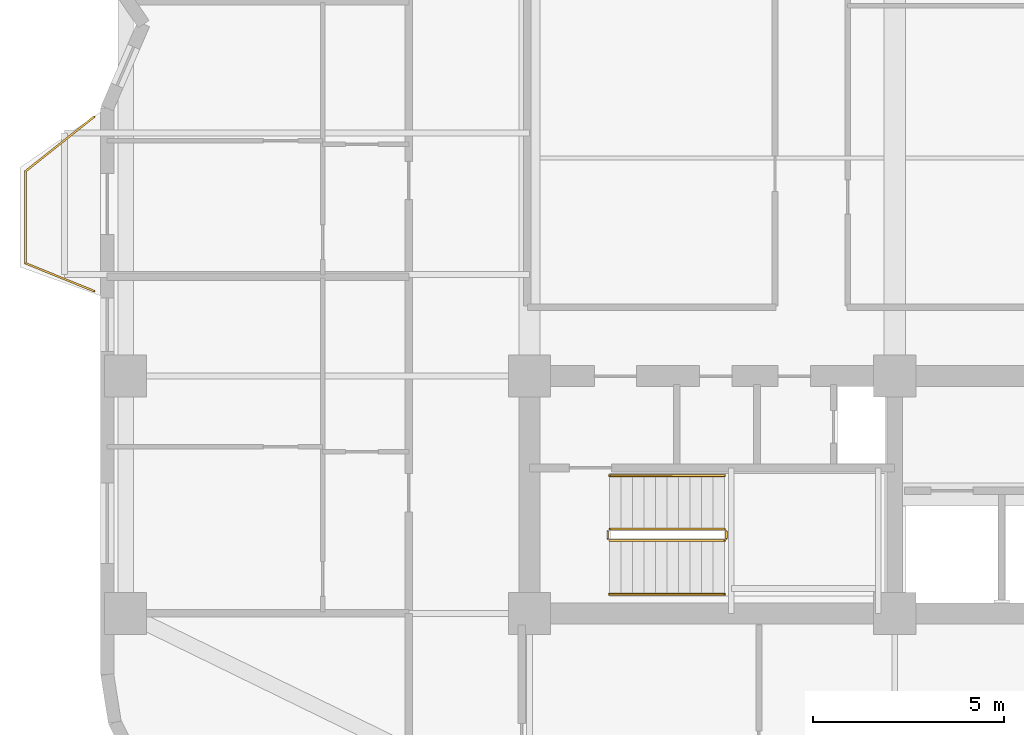
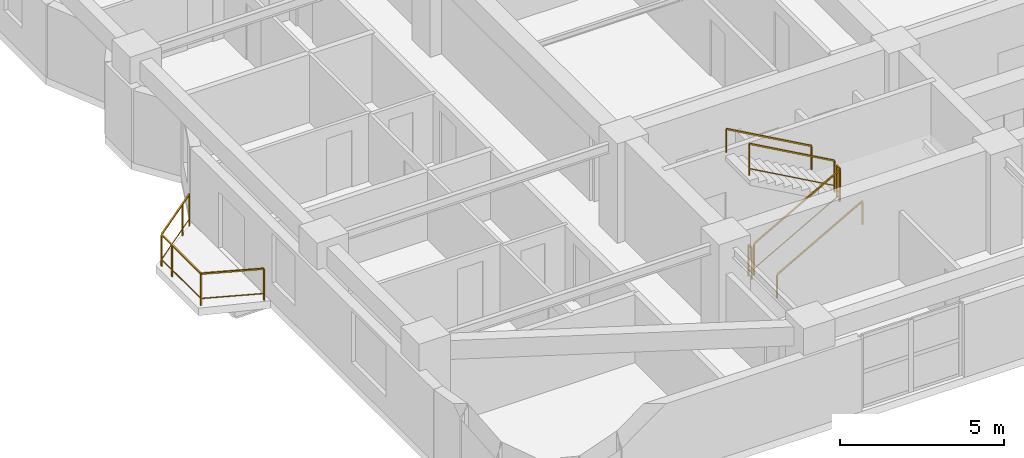
# One storey, part 14 of 15: 7 railings.
"""IFC4 building model written with IfcOpenShell, lengths in metres."""

from ifc_helpers import new_model, si_unit, direction, frame, origin, origin_2d, place, context, subcontext, project, spatial, rectangle, extrude, material, type_object, element, save


model = new_model("IFC4")

# Units and contexts
model_context = context("Model", 3, precision=1e-05, world=origin(), true_north=direction((0.0, 1.0)))
body_context = subcontext(model_context, "Body", "Model", "MODEL_VIEW")
ifc_project = project(units=[si_unit("LENGTHUNIT", "METRE"), si_unit("AREAUNIT", "SQUARE_METRE"), si_unit("VOLUMEUNIT", "CUBIC_METRE"), si_unit("PLANEANGLEUNIT", "RADIAN"), si_unit("MASSUNIT", "GRAM", prefix="KILO")], contexts=[model_context])

# Site, building, storey
site_placement = place(None, origin())
site = spatial("IfcSite", under=ifc_project, at=site_placement, CompositionType="ELEMENT")
building_placement = place(site_placement, origin())
building = spatial("IfcBuilding", under=site, at=building_placement, Name="Svetorya Sky Lyceum", CompositionType="ELEMENT")
storey_placement = place(building_placement, frame((0.0, 0.0, 99.39990234375)))
storey = spatial("IfcBuildingStorey", under=building, at=storey_placement, Name="L24", CompositionType="ELEMENT", Elevation=99.39990234375)

# Railings
ifc_material_1 = material(Name="Laminated safety glass and stainless AISI 316", Category="glass")
railing_type_1 = type_object("IfcRailingType", Name="RL-BAL-1200", PredefinedType="BALUSTRADE", material=ifc_material_1)
railing_1_placement = place(storey_placement, frame((14.22998046875, 19.02001953125, 0.0)))
element("IfcRailing", 1, at=railing_1_placement, inside=storey, type_object=railing_type_1, Name="L24 Balcony Balustrade BAL-W1", PredefinedType="BALUSTRADE", context=body_context, shape_type="SweptSolid", body=[
    extrude(rectangle(XDim=0.048095703125, YDim=0.048095703125, at=origin_2d()), frame((0.0, 0.0, 1.17578125), z_axis=(-0.926697865975, 0.375807218129, 0.0), x_axis=(-0.375807218129, -0.926697865975, 0.0)), (0.0, 0.0, 1.0), 1.9423828125),
    extrude(rectangle(XDim=0.02392578125, YDim=0.02392578125, at=origin_2d()), frame((0.0, 0.0, 0.25), z_axis=(-0.926697865975, 0.375807218129, 0.0), x_axis=(-0.375807218129, -0.926697865975, 0.0)), (0.0, 0.0, 1.0), 1.9423828125),
    extrude(rectangle(XDim=0.048095703125, YDim=0.048095703125, at=origin_2d()), frame((-1.800048828125, 0.72998046875, 1.17578125), z_axis=(0.0, 1.0, 0.0), x_axis=(-1.0, 0.0, 0.0)), (0.0, 0.0, 1.0), 2.39990234375),
    extrude(rectangle(XDim=0.02392578125, YDim=0.02392578125, at=origin_2d()), frame((-1.800048828125, 0.72998046875, 0.25), z_axis=(0.0, 1.0, 0.0), x_axis=(-1.0, 0.0, 0.0)), (0.0, 0.0, 1.0), 2.39990234375),
    extrude(rectangle(XDim=0.048095703125, YDim=0.048095703125, at=origin_2d()), frame((-1.800048828125, 3.1298828125, 1.17578125), z_axis=(0.782957196596, 0.622075580857, 0.0), x_axis=(-0.622075580857, 0.782957196596, 0.0)), (0.0, 0.0, 1.0), 2.299072265625),
    extrude(rectangle(XDim=0.02392578125, YDim=0.02392578125, at=origin_2d()), frame((-1.800048828125, 3.1298828125, 0.25), z_axis=(0.782957196596, 0.622075580857, 0.0), x_axis=(-0.622075580857, 0.782957196596, 0.0)), (0.0, 0.0, 1.0), 2.299072265625),
    extrude(rectangle(XDim=0.0419921875, YDim=0.0419921875, at=origin_2d()), origin(), (0.0, 0.0, 1.0), 1.15185546875),
    extrude(rectangle(XDim=0.0419921875, YDim=0.0419921875, at=origin_2d()), frame((-1.800048828125, 0.72998046875, 0.0)), (0.0, 0.0, 1.0), 1.15185546875),
    extrude(rectangle(XDim=0.0419921875, YDim=0.0419921875, at=origin_2d()), frame((-1.800048828125, 2.47998046875, 0.0)), (0.0, 0.0, 1.0), 1.15185546875),
    extrude(rectangle(XDim=0.0419921875, YDim=0.0419921875, at=origin_2d()), frame((-1.800048828125, 3.1298828125, 0.0)), (0.0, 0.0, 1.0), 1.15185546875),
    extrude(rectangle(XDim=0.0419921875, YDim=0.0419921875, at=origin_2d()), frame((-0.429931640625, 4.218505859375, 0.0)), (0.0, 0.0, 1.0), 1.15185546875),
    extrude(rectangle(XDim=0.0419921875, YDim=0.0419921875, at=origin_2d()), frame((0.0, 4.56005859375, 0.0)), (0.0, 0.0, 1.0), 1.15185546875),
])
ifc_material_2 = material(Name="Painted galvanized stair well guard")
railing_type_2 = type_object("IfcRailingType", Name="RL-STR-GUARD-1200", PredefinedType="GUARDRAIL", material=ifc_material_2)
railing_2_placement = place(storey_placement, frame((27.699951171875, 12.5, 0.168212890625)))
element("IfcRailing", 2, at=railing_2_placement, inside=storey, type_object=railing_type_2, Name="L24 ST-S stair guard 1", PredefinedType="GUARDRAIL", context=body_context, shape_type="SweptSolid", body=[
    extrude(rectangle(XDim=0.048095703125, YDim=0.048095703125, at=origin_2d()), frame((0.0, 0.0, 1.17578125), z_axis=(0.872272294576, 0.0, 0.489020494575), x_axis=(0.0, 1.0, 0.0)), (0.0, 0.0, 1.0), 3.439208984375),
    extrude(rectangle(XDim=0.02392578125, YDim=0.02392578125, at=origin_2d()), frame((0.0, 0.0, 0.25), z_axis=(0.872272294576, 0.0, 0.489020494575), x_axis=(0.0, 1.0, 0.0)), (0.0, 0.0, 1.0), 3.439208984375),
    extrude(rectangle(XDim=0.0419921875, YDim=0.0419921875, at=origin_2d()), origin(), (0.0, 0.0, 1.0), 1.15185546875),
    extrude(rectangle(XDim=0.0419921875, YDim=0.0419921875, at=origin_2d()), frame((3.0, 0.0, 1.681884765625)), (0.0, 0.0, 1.0), 1.15185546875),
])
railing_3_placement = place(storey_placement, frame((30.75, 12.550048828125, 1.85009765625)))
element("IfcRailing", 3, at=railing_3_placement, inside=storey, type_object=railing_type_2, Name="L24 ST-S stair guard 2", PredefinedType="GUARDRAIL", context=body_context, shape_type="SweptSolid", body=[
    extrude(rectangle(XDim=0.048095703125, YDim=0.048095703125, at=origin_2d()), frame((0.0, 0.0, 1.17578125), z_axis=(0.0, 1.0, 0.0), x_axis=(-1.0, 0.0, 0.0)), (0.0, 0.0, 1.0), 0.199951171875),
    extrude(rectangle(XDim=0.02392578125, YDim=0.02392578125, at=origin_2d()), frame((0.0, 0.0, 0.25), z_axis=(0.0, 1.0, 0.0), x_axis=(-1.0, 0.0, 0.0)), (0.0, 0.0, 1.0), 0.199951171875),
    extrude(rectangle(XDim=0.0419921875, YDim=0.0419921875, at=origin_2d()), origin(), (0.0, 0.0, 1.0), 1.15185546875),
    extrude(rectangle(XDim=0.0419921875, YDim=0.0419921875, at=origin_2d()), frame((0.0, 0.199951171875, 0.0)), (0.0, 0.0, 1.0), 1.15185546875),
])
railing_4_placement = place(storey_placement, frame((30.699951171875, 12.800048828125, 2.018310546875)))
element("IfcRailing", 4, at=railing_4_placement, inside=storey, type_object=railing_type_2, Name="L24 ST-S stair guard 3", PredefinedType="GUARDRAIL", context=body_context, shape_type="SweptSolid", body=[
    extrude(rectangle(XDim=0.048095703125, YDim=0.048095703125, at=origin_2d()), frame((0.0, 0.0, 1.17578125), z_axis=(-0.872272294576, 0.0, 0.489020494575), x_axis=(0.0, -1.0, 0.0)), (0.0, 0.0, 1.0), 3.439208984375),
    extrude(rectangle(XDim=0.02392578125, YDim=0.02392578125, at=origin_2d()), frame((0.0, 0.0, 0.25), z_axis=(-0.872272294576, 0.0, 0.489020494575), x_axis=(0.0, -1.0, 0.0)), (0.0, 0.0, 1.0), 3.439208984375),
    extrude(rectangle(XDim=0.0419921875, YDim=0.0419921875, at=origin_2d()), origin(), (0.0, 0.0, 1.0), 1.15185546875),
    extrude(rectangle(XDim=0.0419921875, YDim=0.0419921875, at=origin_2d()), frame((-3.0, 0.0, 1.681884765625)), (0.0, 0.0, 1.0), 1.15185546875),
])
railing_5_placement = place(storey_placement, frame((27.64990234375, 12.550048828125, 0.0)))
element("IfcRailing", 5, at=railing_5_placement, inside=storey, type_object=railing_type_2, Name="L24 ST-S stair guard 4", PredefinedType="GUARDRAIL", context=body_context, shape_type="SweptSolid", body=[
    extrude(rectangle(XDim=0.048095703125, YDim=0.048095703125, at=origin_2d()), frame((0.0, 0.0, 1.17578125), z_axis=(0.0, 1.0, 0.0), x_axis=(-1.0, 0.0, 0.0)), (0.0, 0.0, 1.0), 0.199951171875),
    extrude(rectangle(XDim=0.02392578125, YDim=0.02392578125, at=origin_2d()), frame((0.0, 0.0, 0.25), z_axis=(0.0, 1.0, 0.0), x_axis=(-1.0, 0.0, 0.0)), (0.0, 0.0, 1.0), 0.199951171875),
    extrude(rectangle(XDim=0.0419921875, YDim=0.0419921875, at=origin_2d()), origin(), (0.0, 0.0, 1.0), 1.15185546875),
    extrude(rectangle(XDim=0.0419921875, YDim=0.0419921875, at=origin_2d()), frame((0.0, 0.199951171875, 0.0)), (0.0, 0.0, 1.0), 1.15185546875),
])
ifc_material_3 = material(Name="Brushed stainless AISI 304 stair handrail")
railing_type_3 = type_object("IfcRailingType", Name="RL-STR-HAND-920", PredefinedType="HANDRAIL", material=ifc_material_3)
railing_6_placement = place(storey_placement, frame((27.699951171875, 11.10009765625, 0.168212890625)))
element("IfcRailing", 6, at=railing_6_placement, inside=storey, type_object=railing_type_3, Name="L24 ST-S stair handrail 1", PredefinedType="HANDRAIL", context=body_context, shape_type="SweptSolid", body=[
    extrude(rectangle(XDim=0.048095703125, YDim=0.048095703125, at=origin_2d()), frame((0.0, 0.0, 0.8759765625), z_axis=(0.872272294576, 0.0, 0.489020494575), x_axis=(0.0, 1.0, 0.0)), (0.0, 0.0, 1.0), 3.439208984375),
    extrude(rectangle(XDim=0.0419921875, YDim=0.0419921875, at=origin_2d()), origin(), (0.0, 0.0, 1.0), 0.851806640625),
    extrude(rectangle(XDim=0.0419921875, YDim=0.0419921875, at=origin_2d()), frame((3.0, 0.0, 1.681884765625)), (0.0, 0.0, 1.0), 0.851806640625),
])
railing_7_placement = place(storey_placement, frame((30.699951171875, 14.199951171875, 2.018310546875)))
element("IfcRailing", 7, at=railing_7_placement, inside=storey, type_object=railing_type_3, Name="L24 ST-S stair handrail 2", PredefinedType="HANDRAIL", context=body_context, shape_type="SweptSolid", body=[
    extrude(rectangle(XDim=0.048095703125, YDim=0.048095703125, at=origin_2d()), frame((0.0, 0.0, 0.8759765625), z_axis=(-0.872272294576, 0.0, 0.489020494575), x_axis=(0.0, -1.0, 0.0)), (0.0, 0.0, 1.0), 3.439208984375),
    extrude(rectangle(XDim=0.0419921875, YDim=0.0419921875, at=origin_2d()), origin(), (0.0, 0.0, 1.0), 0.851806640625),
    extrude(rectangle(XDim=0.0419921875, YDim=0.0419921875, at=origin_2d()), frame((-3.0, 0.0, 1.681884765625)), (0.0, 0.0, 1.0), 0.851806640625),
])

save(model, "model.ifc")
